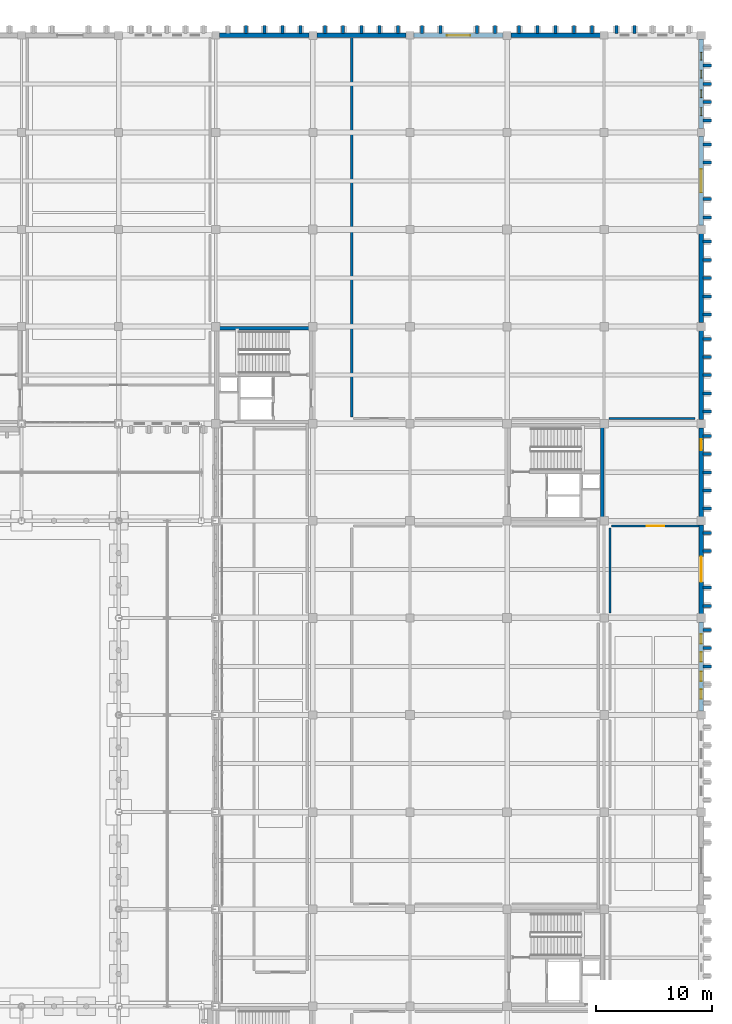
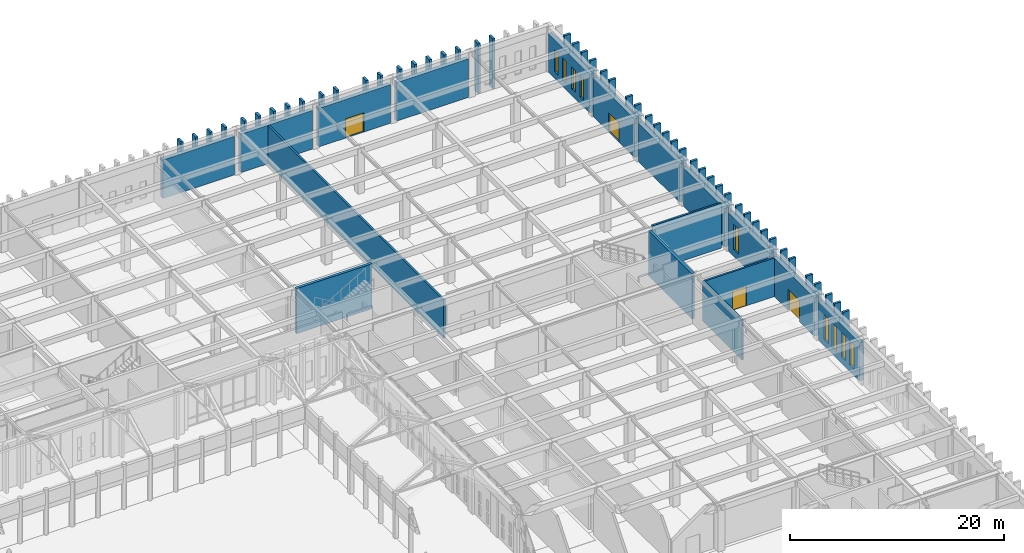
# One storey, part 127 of 143: 67 walls, 9 windows, 4 doors, 13 openings.
"""IFC4 building model written with IfcOpenShell, lengths in metres."""

from ifc_helpers import new_model, si_unit, direction, frame, frame_2d, origin, place, context, subcontext, project, spatial, rectangle, extrude, material, layer, layer_set, type_object, element, fill, save


model = new_model("IFC4")

# Units and contexts
model_context = context("Model", 3, precision=1e-05, world=origin(), true_north=direction((0.0, 1.0)))
body_context = subcontext(model_context, "Body", "Model", "MODEL_VIEW")
ifc_project = project(units=[si_unit("LENGTHUNIT", "METRE"), si_unit("AREAUNIT", "SQUARE_METRE"), si_unit("VOLUMEUNIT", "CUBIC_METRE"), si_unit("PLANEANGLEUNIT", "RADIAN"), si_unit("MASSUNIT", "GRAM", prefix="KILO")], contexts=[model_context])

# Site, building, storey
site_placement = place(None, origin())
site = spatial("IfcSite", under=ifc_project, at=site_placement, CompositionType="ELEMENT")
building_placement = place(site_placement, origin())
building = spatial("IfcBuilding", under=site, at=building_placement, Name="Kveldsbrygga Polytechnic", CompositionType="ELEMENT")
storey_placement = place(building_placement, origin())
storey = spatial("IfcBuildingStorey", under=building, at=storey_placement, Name="L00", CompositionType="ELEMENT", Elevation=0.0)

# Walls
ifc_material_1 = material(Name="Fired clay brick masonry M10", Category="masonry")
ifc_layer_1 = layer(ifc_material_1, 0.419921875)
ifc_layer_set_1 = layer_set([ifc_layer_1], Name="Fired clay brick masonry M10")
wall_type_1 = type_object("IfcWallType", Name="EW-BRICK-420", PredefinedType="SOLIDWALL", material=ifc_layer_set_1)
for number, where, z_axis, x_axis, name in (
    (1, (126.324951171875, 117.60009765625, 0.0), (0.0, 0.0, 1.0), (1.0, 0.0, 0.0), "Exterior Brick Wall EW-L00-X-15-14"),
    (2, (134.735107421875, 117.60009765625, 0.0), (0.0, 0.0, 1.0), (1.0, 0.0, 0.0), "Exterior Brick Wall EW-L00-X-16-14"),
):
    element("IfcWall", number, at=place(storey_placement, frame(where, z_axis=z_axis, x_axis=x_axis)), inside=storey, type_object=wall_type_1, Name=name, PredefinedType="SOLIDWALL", context=body_context, shape_type="SweptSolid", body=[
        extrude(rectangle(XDim=7.739990234375, YDim=0.419921875, at=frame_2d((3.8701171875, 0.0))), origin(), (0.0, 0.0, 1.0), 4.39990234375),
    ])

# Wall, opening, door
wall_1_placement = place(storey_placement, frame((143.125, 117.60009765625, 0.0), z_axis=(0.0, 0.0, 1.0), x_axis=(1.0, 0.0, 0.0)))
wall_1 = element("IfcWall", 3, at=wall_1_placement, inside=storey, type_object=wall_type_1, Name="Exterior Brick Wall EW-L00-X-17-14", PredefinedType="SOLIDWALL", context=body_context, shape_type="SweptSolid", body=[
    extrude(rectangle(XDim=7.739990234375, YDim=0.419921875, at=frame_2d((3.8701171875, 0.0))), origin(), (0.0, 0.0, 1.0), 4.39990234375),
])
opening_1_placement = place(wall_1_placement, frame((2.8701171875, 0.0, 0.0)))
opening_1 = element("IfcOpeningElement", 4, at=opening_1_placement, cuts=wall_1, Name="Opening ED-16", PredefinedType="OPENING", context=body_context, shape_type="SweptSolid", body=[
    extrude(rectangle(XDim=2.0, YDim=2.199951171875, at=frame_2d((1.0, 1.10009765625))), frame((0.0, 0.219970703125, 0.0), z_axis=(0.0, -1.0, 0.0), x_axis=(1.0, 0.0, 0.0)), (0.0, 0.0, 1.0), 0.43994140625),
])
ifc_material_2 = material(Name="Anodised aluminium AW-6060", Category="aluminium")
door_type_1 = type_object("IfcDoorType", Name="ED-EXIT-200x220", OperationType="DOUBLE_DOOR_SINGLE_SWING", PredefinedType="DOOR", material=ifc_material_2)
door_1_placement = place(opening_1_placement, origin())
door_1 = element("IfcDoor", 5, at=door_1_placement, inside=storey, type_object=door_type_1, Name="Pedestrian Exit Door ED-16", OperationType="DOUBLE_DOOR_SINGLE_SWING", OverallHeight=2.199951171875, OverallWidth=2.0, PredefinedType="DOOR", context=body_context, shape_type="SweptSolid", body=[
    extrude(rectangle(XDim=2.0, YDim=2.199951171875, at=frame_2d((1.0, 1.10009765625))), frame((0.0, 0.02490234375, 0.0), z_axis=(0.0, -1.0, 0.0), x_axis=(1.0, 0.0, 0.0)), (0.0, 0.0, 1.0), 0.050048828125),
])
fill(opening_1, door_1)

# Wall
wall_2_placement = place(storey_placement, frame((151.534912109375, 117.60009765625, 0.0), z_axis=(0.0, 0.0, 1.0), x_axis=(1.0, 0.0, 0.0)))
element("IfcWall", 6, at=wall_2_placement, inside=storey, type_object=wall_type_1, Name="Exterior Brick Wall EW-L00-X-18-14", PredefinedType="SOLIDWALL", context=body_context, shape_type="SweptSolid", body=[
    extrude(rectangle(XDim=7.739990234375, YDim=0.419921875, at=frame_2d((3.8701171875, 0.0))), origin(), (0.0, 0.0, 1.0), 4.39990234375),
])

# Wall, openings, windows
wall_3_placement = place(storey_placement, frame((168.0, 59.14501953125, 0.0), z_axis=(0.0, 0.0, 1.0), x_axis=(0.0, 1.0, 0.0)))
wall_3 = element("IfcWall", 7, at=wall_3_placement, inside=storey, type_object=wall_type_1, Name="Exterior Brick Wall EW-L00-Y-20-07", PredefinedType="SOLIDWALL", context=body_context, shape_type="SweptSolid", body=[
    extrude(rectangle(XDim=7.695068359375, YDim=0.419921875, at=frame_2d((3.84765625, 0.0))), origin(), (0.0, 0.0, 1.0), 4.389892578125),
])
opening_2_placement = place(wall_3_placement, frame((1.052001953125, 0.0, 0.75)))
opening_2 = element("IfcOpeningElement", 8, at=opening_2_placement, cuts=wall_3, Name="Opening W-11", PredefinedType="OPENING", context=body_context, shape_type="SweptSolid", body=[
    extrude(rectangle(XDim=0.820068359375, YDim=2.800048828125, at=frame_2d((0.41015625, 1.39990234375))), frame((0.0, 0.219970703125, 0.0), z_axis=(0.0, -1.0, 0.0), x_axis=(1.0, 0.0, 0.0)), (0.0, 0.0, 1.0), 0.43994140625),
])
opening_3_placement = place(wall_3_placement, frame((2.591064453125, 0.0, 0.75)))
opening_3 = element("IfcOpeningElement", 9, at=opening_3_placement, cuts=wall_3, Name="Opening W-11", PredefinedType="OPENING", context=body_context, shape_type="SweptSolid", body=[
    extrude(rectangle(XDim=0.820068359375, YDim=2.800048828125, at=frame_2d((0.41015625, 1.39990234375))), frame((0.0, 0.219970703125, 0.0), z_axis=(0.0, -1.0, 0.0), x_axis=(1.0, 0.0, 0.0)), (0.0, 0.0, 1.0), 0.43994140625),
])
opening_4_placement = place(wall_3_placement, frame((4.283935546875, 0.0, 0.75)))
opening_4 = element("IfcOpeningElement", 10, at=opening_4_placement, cuts=wall_3, Name="Opening W-11", PredefinedType="OPENING", context=body_context, shape_type="SweptSolid", body=[
    extrude(rectangle(XDim=0.820068359375, YDim=2.800048828125, at=frame_2d((0.41015625, 1.39990234375))), frame((0.0, 0.219970703125, 0.0), z_axis=(0.0, -1.0, 0.0), x_axis=(1.0, 0.0, 0.0)), (0.0, 0.0, 1.0), 0.43994140625),
])
opening_5_placement = place(wall_3_placement, frame((5.822998046875, 0.0, 0.75)))
opening_5 = element("IfcOpeningElement", 11, at=opening_5_placement, cuts=wall_3, Name="Opening W-11", PredefinedType="OPENING", context=body_context, shape_type="SweptSolid", body=[
    extrude(rectangle(XDim=0.820068359375, YDim=2.800048828125, at=frame_2d((0.41015625, 1.39990234375))), frame((0.0, 0.219970703125, 0.0), z_axis=(0.0, -1.0, 0.0), x_axis=(1.0, 0.0, 0.0)), (0.0, 0.0, 1.0), 0.43994140625),
])
ifc_material_3 = material(Name="Insulated triple low-E glass", Category="glass")
window_type_1 = type_object("IfcWindowType", Name="WN-LANC-082x280", PartitioningType="DOUBLE_PANEL_VERTICAL", PredefinedType="WINDOW", material=ifc_material_3)
window_1_placement = place(opening_2_placement, origin())
window_1 = element("IfcWindow", 12, at=window_1_placement, inside=storey, type_object=window_type_1, Name="Gothic Lancet Window WIN-L00-Y-20-07-1", OverallHeight=2.800048828125, OverallWidth=0.820068359375, PartitioningType="DOUBLE_PANEL_VERTICAL", PredefinedType="WINDOW", context=body_context, shape_type="SweptSolid", body=[
    extrude(rectangle(XDim=0.820068359375, YDim=2.800048828125, at=frame_2d((0.41015625, 1.39990234375))), frame((0.0, 0.030029296875, 0.0), z_axis=(0.0, -1.0, 0.0), x_axis=(1.0, 0.0, 0.0)), (0.0, 0.0, 1.0), 0.06005859375),
])
fill(opening_2, window_1)
window_2_placement = place(opening_3_placement, origin())
window_2 = element("IfcWindow", 13, at=window_2_placement, inside=storey, type_object=window_type_1, Name="Gothic Lancet Window WIN-L00-Y-20-07-2", OverallHeight=2.800048828125, OverallWidth=0.820068359375, PartitioningType="DOUBLE_PANEL_VERTICAL", PredefinedType="WINDOW", context=body_context, shape_type="SweptSolid", body=[
    extrude(rectangle(XDim=0.820068359375, YDim=2.800048828125, at=frame_2d((0.41015625, 1.39990234375))), frame((0.0, 0.030029296875, 0.0), z_axis=(0.0, -1.0, 0.0), x_axis=(1.0, 0.0, 0.0)), (0.0, 0.0, 1.0), 0.06005859375),
])
fill(opening_3, window_2)
window_3_placement = place(opening_4_placement, origin())
window_3 = element("IfcWindow", 14, at=window_3_placement, inside=storey, type_object=window_type_1, Name="Gothic Lancet Window WIN-L00-Y-20-07-3", OverallHeight=2.800048828125, OverallWidth=0.820068359375, PartitioningType="DOUBLE_PANEL_VERTICAL", PredefinedType="WINDOW", context=body_context, shape_type="SweptSolid", body=[
    extrude(rectangle(XDim=0.820068359375, YDim=2.800048828125, at=frame_2d((0.41015625, 1.39990234375))), frame((0.0, 0.030029296875, 0.0), z_axis=(0.0, -1.0, 0.0), x_axis=(1.0, 0.0, 0.0)), (0.0, 0.0, 1.0), 0.06005859375),
])
fill(opening_4, window_3)
window_4_placement = place(opening_5_placement, origin())
window_4 = element("IfcWindow", 15, at=window_4_placement, inside=storey, type_object=window_type_1, Name="Gothic Lancet Window WIN-L00-Y-20-07-4", OverallHeight=2.800048828125, OverallWidth=0.820068359375, PartitioningType="DOUBLE_PANEL_VERTICAL", PredefinedType="WINDOW", context=body_context, shape_type="SweptSolid", body=[
    extrude(rectangle(XDim=0.820068359375, YDim=2.800048828125, at=frame_2d((0.41015625, 1.39990234375))), frame((0.0, 0.030029296875, 0.0), z_axis=(0.0, -1.0, 0.0), x_axis=(1.0, 0.0, 0.0)), (0.0, 0.0, 1.0), 0.06005859375),
])
fill(opening_5, window_4)

# Wall, opening, door
wall_4_placement = place(storey_placement, frame((168.0, 67.56005859375, 0.0), z_axis=(0.0, 0.0, 1.0), x_axis=(0.0, 1.0, 0.0)))
wall_4 = element("IfcWall", 16, at=wall_4_placement, inside=storey, type_object=wall_type_1, Name="Exterior Brick Wall EW-L00-Y-20-08", PredefinedType="SOLIDWALL", context=body_context, shape_type="SweptSolid", body=[
    extrude(rectangle(XDim=7.69482421875, YDim=0.419921875, at=frame_2d((3.847412109375, 0.0))), origin(), (0.0, 0.0, 1.0), 4.389892578125),
])
opening_6_placement = place(wall_4_placement, frame((2.74755859375, 0.0, 0.0)))
opening_6 = element("IfcOpeningElement", 17, at=opening_6_placement, cuts=wall_4, Name="Opening ED-19", PredefinedType="OPENING", context=body_context, shape_type="SweptSolid", body=[
    extrude(rectangle(XDim=2.199951171875, YDim=2.39990234375, at=frame_2d((1.10009765625, 1.199951171875))), frame((0.0, 0.219970703125, 0.0), z_axis=(0.0, -1.0, 0.0), x_axis=(1.0, 0.0, 0.0)), (0.0, 0.0, 1.0), 0.43994140625),
])
door_type_2 = type_object("IfcDoorType", Name="ED-MAIN-220x240", OperationType="DOUBLE_DOOR_SINGLE_SWING", PredefinedType="DOOR", material=ifc_material_2)
door_2_placement = place(opening_6_placement, origin())
door_2 = element("IfcDoor", 18, at=door_2_placement, inside=storey, type_object=door_type_2, Name="Pedestrian Exit Door ED-19", OperationType="DOUBLE_DOOR_SINGLE_SWING", OverallHeight=2.39990234375, OverallWidth=2.199951171875, PredefinedType="DOOR", context=body_context, shape_type="SweptSolid", body=[
    extrude(rectangle(XDim=2.199951171875, YDim=2.39990234375, at=frame_2d((1.10009765625, 1.199951171875))), frame((0.0, 0.02490234375, 0.0), z_axis=(0.0, -1.0, 0.0), x_axis=(1.0, 0.0, 0.0)), (0.0, 0.0, 1.0), 0.050048828125),
])
fill(opening_6, door_2)

# Wall, opening, window
wall_5_placement = place(storey_placement, frame((168.0, 75.945068359375, 0.0), z_axis=(0.0, 0.0, 1.0), x_axis=(0.0, 1.0, 0.0)))
wall_5 = element("IfcWall", 19, at=wall_5_placement, inside=storey, type_object=wall_type_1, Name="Exterior Brick Wall EW-L00-Y-20-09", PredefinedType="SOLIDWALL", context=body_context, shape_type="SweptSolid", body=[
    extrude(rectangle(XDim=7.69482421875, YDim=0.419921875, at=frame_2d((3.847412109375, 0.0))), origin(), (0.0, 0.0, 1.0), 4.389892578125),
])
opening_7_placement = place(wall_5_placement, frame((5.77294921875, 0.0, 0.75)))
opening_7 = element("IfcOpeningElement", 20, at=opening_7_placement, cuts=wall_5, Name="Opening W-21", PredefinedType="OPENING", context=body_context, shape_type="SweptSolid", body=[
    extrude(rectangle(XDim=0.919921875, YDim=2.85009765625, at=frame_2d((0.4599609375, 1.425048828125))), frame((0.0, 0.219970703125, 0.0), z_axis=(0.0, -1.0, 0.0), x_axis=(1.0, 0.0, 0.0)), (0.0, 0.0, 1.0), 0.43994140625),
])
window_type_2 = type_object("IfcWindowType", Name="WN-LANC-092x285", PartitioningType="DOUBLE_PANEL_VERTICAL", PredefinedType="WINDOW", material=ifc_material_3)
window_5_placement = place(opening_7_placement, origin())
window_5 = element("IfcWindow", 21, at=window_5_placement, inside=storey, type_object=window_type_2, Name="Gothic Lancet Window WIN-L00-Y-20-09-4", OverallHeight=2.85009765625, OverallWidth=0.919921875, PartitioningType="DOUBLE_PANEL_VERTICAL", PredefinedType="WINDOW", context=body_context, shape_type="SweptSolid", body=[
    extrude(rectangle(XDim=0.919921875, YDim=2.85009765625, at=frame_2d((0.4599609375, 1.425048828125))), frame((0.0, 0.030029296875, 0.0), z_axis=(0.0, -1.0, 0.0), x_axis=(1.0, 0.0, 0.0)), (0.0, 0.0, 1.0), 0.06005859375),
])
fill(opening_7, window_5)

# Walls
for number, where, z_axis, x_axis, name in (
    (22, (168.0, 84.360107421875, 0.0), (0.0, 0.0, 1.0), (0.0, 1.0, 0.0), "Exterior Brick Wall EW-L00-Y-20-10"),
    (23, (168.0, 92.7451171875, 0.0), (0.0, 0.0, 1.0), (0.0, 1.0, 0.0), "Exterior Brick Wall EW-L00-Y-20-11"),
):
    element("IfcWall", number, at=place(storey_placement, frame(where, z_axis=z_axis, x_axis=x_axis)), inside=storey, type_object=wall_type_1, Name=name, PredefinedType="SOLIDWALL", context=body_context, shape_type="SweptSolid", body=[
        extrude(rectangle(XDim=7.69482421875, YDim=0.419921875, at=frame_2d((3.847412109375, 0.0))), origin(), (0.0, 0.0, 1.0), 4.389892578125),
    ])

# Wall, opening, door
wall_6_placement = place(storey_placement, frame((168.0, 101.159912109375, 0.0), z_axis=(0.0, 0.0, 1.0), x_axis=(0.0, 1.0, 0.0)))
wall_6 = element("IfcWall", 24, at=wall_6_placement, inside=storey, type_object=wall_type_1, Name="Exterior Brick Wall EW-L00-Y-20-12", PredefinedType="SOLIDWALL", context=body_context, shape_type="SweptSolid", body=[
    extrude(rectangle(XDim=7.715087890625, YDim=0.419921875, at=frame_2d((3.857421875, 0.0))), origin(), (0.0, 0.0, 1.0), 4.389892578125),
])
opening_8_placement = place(wall_6_placement, frame((2.857421875, 0.0, 0.0)))
opening_8 = element("IfcOpeningElement", 25, at=opening_8_placement, cuts=wall_6, Name="Opening ED-20", PredefinedType="OPENING", context=body_context, shape_type="SweptSolid", body=[
    extrude(rectangle(XDim=2.0, YDim=2.199951171875, at=frame_2d((1.0, 1.10009765625))), frame((0.0, 0.219970703125, 0.0), z_axis=(0.0, -1.0, 0.0), x_axis=(1.0, 0.0, 0.0)), (0.0, 0.0, 1.0), 0.43994140625),
])
door_3_placement = place(opening_8_placement, origin())
door_3 = element("IfcDoor", 26, at=door_3_placement, inside=storey, type_object=door_type_1, Name="Pedestrian Exit Door ED-20", OperationType="DOUBLE_DOOR_SINGLE_SWING", OverallHeight=2.199951171875, OverallWidth=2.0, PredefinedType="DOOR", context=body_context, shape_type="SweptSolid", body=[
    extrude(rectangle(XDim=2.0, YDim=2.199951171875, at=frame_2d((1.0, 1.10009765625))), frame((0.0, 0.02490234375, 0.0), z_axis=(0.0, -1.0, 0.0), x_axis=(1.0, 0.0, 0.0)), (0.0, 0.0, 1.0), 0.050048828125),
])
fill(opening_8, door_3)

# Wall, openings, windows
wall_7_placement = place(storey_placement, frame((168.0, 109.52490234375, 0.0), z_axis=(0.0, 0.0, 1.0), x_axis=(0.0, 1.0, 0.0)))
wall_7 = element("IfcWall", 27, at=wall_7_placement, inside=storey, type_object=wall_type_1, Name="Exterior Brick Wall EW-L00-Y-20-13", PredefinedType="SOLIDWALL", context=body_context, shape_type="SweptSolid", body=[
    extrude(rectangle(XDim=7.739990234375, YDim=0.419921875, at=frame_2d((3.8701171875, 0.0))), origin(), (0.0, 0.0, 1.0), 4.389892578125),
])
opening_9_placement = place(wall_7_placement, frame((1.130615234375, 0.0, 0.75)))
opening_9 = element("IfcOpeningElement", 28, at=opening_9_placement, cuts=wall_7, Name="Opening W-41", PredefinedType="OPENING", context=body_context, shape_type="SweptSolid", body=[
    extrude(rectangle(XDim=0.679931640625, YDim=2.5, at=frame_2d((0.33984375, 1.25))), frame((0.0, 0.219970703125, 0.0), z_axis=(0.0, -1.0, 0.0), x_axis=(1.0, 0.0, 0.0)), (0.0, 0.0, 1.0), 0.43994140625),
])
opening_10_placement = place(wall_7_placement, frame((2.6787109375, 0.0, 0.75)))
opening_10 = element("IfcOpeningElement", 29, at=opening_10_placement, cuts=wall_7, Name="Opening W-41", PredefinedType="OPENING", context=body_context, shape_type="SweptSolid", body=[
    extrude(rectangle(XDim=0.679931640625, YDim=2.5, at=frame_2d((0.33984375, 1.25))), frame((0.0, 0.219970703125, 0.0), z_axis=(0.0, -1.0, 0.0), x_axis=(1.0, 0.0, 0.0)), (0.0, 0.0, 1.0), 0.43994140625),
])
opening_11_placement = place(wall_7_placement, frame((4.38134765625, 0.0, 0.75)))
opening_11 = element("IfcOpeningElement", 30, at=opening_11_placement, cuts=wall_7, Name="Opening W-41", PredefinedType="OPENING", context=body_context, shape_type="SweptSolid", body=[
    extrude(rectangle(XDim=0.679931640625, YDim=2.5, at=frame_2d((0.33984375, 1.25))), frame((0.0, 0.219970703125, 0.0), z_axis=(0.0, -1.0, 0.0), x_axis=(1.0, 0.0, 0.0)), (0.0, 0.0, 1.0), 0.43994140625),
])
opening_12_placement = place(wall_7_placement, frame((5.929443359375, 0.0, 0.75)))
opening_12 = element("IfcOpeningElement", 31, at=opening_12_placement, cuts=wall_7, Name="Opening W-41", PredefinedType="OPENING", context=body_context, shape_type="SweptSolid", body=[
    extrude(rectangle(XDim=0.679931640625, YDim=2.5, at=frame_2d((0.33984375, 1.25))), frame((0.0, 0.219970703125, 0.0), z_axis=(0.0, -1.0, 0.0), x_axis=(1.0, 0.0, 0.0)), (0.0, 0.0, 1.0), 0.43994140625),
])
window_type_3 = type_object("IfcWindowType", Name="WN-LANC-068x250", PartitioningType="DOUBLE_PANEL_VERTICAL", PredefinedType="WINDOW", material=ifc_material_3)
window_6_placement = place(opening_9_placement, origin())
window_6 = element("IfcWindow", 32, at=window_6_placement, inside=storey, type_object=window_type_3, Name="Gothic Lancet Window WIN-L00-Y-20-13-1", OverallHeight=2.5, OverallWidth=0.679931640625, PartitioningType="DOUBLE_PANEL_VERTICAL", PredefinedType="WINDOW", context=body_context, shape_type="SweptSolid", body=[
    extrude(rectangle(XDim=0.679931640625, YDim=2.5, at=frame_2d((0.33984375, 1.25))), frame((0.0, 0.030029296875, 0.0), z_axis=(0.0, -1.0, 0.0), x_axis=(1.0, 0.0, 0.0)), (0.0, 0.0, 1.0), 0.06005859375),
])
fill(opening_9, window_6)
window_7_placement = place(opening_10_placement, origin())
window_7 = element("IfcWindow", 33, at=window_7_placement, inside=storey, type_object=window_type_3, Name="Gothic Lancet Window WIN-L00-Y-20-13-2", OverallHeight=2.5, OverallWidth=0.679931640625, PartitioningType="DOUBLE_PANEL_VERTICAL", PredefinedType="WINDOW", context=body_context, shape_type="SweptSolid", body=[
    extrude(rectangle(XDim=0.679931640625, YDim=2.5, at=frame_2d((0.33984375, 1.25))), frame((0.0, 0.030029296875, 0.0), z_axis=(0.0, -1.0, 0.0), x_axis=(1.0, 0.0, 0.0)), (0.0, 0.0, 1.0), 0.06005859375),
])
fill(opening_10, window_7)
window_8_placement = place(opening_11_placement, origin())
window_8 = element("IfcWindow", 34, at=window_8_placement, inside=storey, type_object=window_type_3, Name="Gothic Lancet Window WIN-L00-Y-20-13-3", OverallHeight=2.5, OverallWidth=0.679931640625, PartitioningType="DOUBLE_PANEL_VERTICAL", PredefinedType="WINDOW", context=body_context, shape_type="SweptSolid", body=[
    extrude(rectangle(XDim=0.679931640625, YDim=2.5, at=frame_2d((0.33984375, 1.25))), frame((0.0, 0.030029296875, 0.0), z_axis=(0.0, -1.0, 0.0), x_axis=(1.0, 0.0, 0.0)), (0.0, 0.0, 1.0), 0.06005859375),
])
fill(opening_11, window_8)
window_9_placement = place(opening_12_placement, origin())
window_9 = element("IfcWindow", 35, at=window_9_placement, inside=storey, type_object=window_type_3, Name="Gothic Lancet Window WIN-L00-Y-20-13-4", OverallHeight=2.5, OverallWidth=0.679931640625, PartitioningType="DOUBLE_PANEL_VERTICAL", PredefinedType="WINDOW", context=body_context, shape_type="SweptSolid", body=[
    extrude(rectangle(XDim=0.679931640625, YDim=2.5, at=frame_2d((0.33984375, 1.25))), frame((0.0, 0.030029296875, 0.0), z_axis=(0.0, -1.0, 0.0), x_axis=(1.0, 0.0, 0.0)), (0.0, 0.0, 1.0), 0.06005859375),
])
fill(opening_12, window_9)

# Walls
ifc_layer_2 = layer(ifc_material_1, 0.260009765625)
ifc_layer_set_2 = layer_set([ifc_layer_2], Name="Fired clay brick masonry M10")
wall_type_2 = type_object("IfcWallType", Name="EW-BUTT-260", PredefinedType="SOLIDWALL", material=ifc_layer_set_2)
for number, where, z_axis, x_axis, name in (
    (36, (128.6201171875, 117.764892578125, -0.25), (0.0, 0.0, 1.0), (0.0, 1.0, 0.0), "Gothic Brick Buttress Pier BUTT-L00-X-15-14-2"),
    (37, (130.199951171875, 117.764892578125, -0.25), (0.0, 0.0, 1.0), (0.0, 1.0, 0.0), "Gothic Brick Buttress Pier BUTT-L00-X-15-14-3"),
    (38, (131.780029296875, 117.764892578125, -0.25), (0.0, 0.0, 1.0), (0.0, 1.0, 0.0), "Gothic Brick Buttress Pier BUTT-L00-X-15-14-4"),
    (39, (133.35009765625, 117.764892578125, -0.25), (0.0, 0.0, 1.0), (0.0, 1.0, 0.0), "Gothic Brick Buttress Pier BUTT-L00-X-15-14-5"),
    (40, (135.449951171875, 117.764892578125, -0.25), (0.0, 0.0, 1.0), (0.0, 1.0, 0.0), "Gothic Brick Buttress Pier BUTT-L00-X-16-14-1"),
    (41, (137.02001953125, 117.764892578125, -0.25), (0.0, 0.0, 1.0), (0.0, 1.0, 0.0), "Gothic Brick Buttress Pier BUTT-L00-X-16-14-2"),
    (42, (138.60009765625, 117.764892578125, -0.25), (0.0, 0.0, 1.0), (0.0, 1.0, 0.0), "Gothic Brick Buttress Pier BUTT-L00-X-16-14-3"),
    (43, (140.179931640625, 117.764892578125, -0.25), (0.0, 0.0, 1.0), (0.0, 1.0, 0.0), "Gothic Brick Buttress Pier BUTT-L00-X-16-14-4"),
    (44, (141.75, 117.764892578125, -0.25), (0.0, 0.0, 1.0), (0.0, 1.0, 0.0), "Gothic Brick Buttress Pier BUTT-L00-X-16-14-5"),
    (45, (143.85009765625, 117.764892578125, -0.25), (0.0, 0.0, 1.0), (0.0, 1.0, 0.0), "Gothic Brick Buttress Pier BUTT-L00-X-17-14-1"),
    (46, (145.419921875, 117.764892578125, -0.25), (0.0, 0.0, 1.0), (0.0, 1.0, 0.0), "Gothic Brick Buttress Pier BUTT-L00-X-17-14-2"),
    (47, (148.580078125, 117.764892578125, -0.25), (0.0, 0.0, 1.0), (0.0, 1.0, 0.0), "Gothic Brick Buttress Pier BUTT-L00-X-17-14-4"),
    (48, (150.14990234375, 117.764892578125, -0.25), (0.0, 0.0, 1.0), (0.0, 1.0, 0.0), "Gothic Brick Buttress Pier BUTT-L00-X-17-14-5"),
    (49, (152.25, 117.764892578125, -0.25), (0.0, 0.0, 1.0), (0.0, 1.0, 0.0), "Gothic Brick Buttress Pier BUTT-L00-X-18-14-1"),
    (50, (153.820068359375, 117.764892578125, -0.25), (0.0, 0.0, 1.0), (0.0, 1.0, 0.0), "Gothic Brick Buttress Pier BUTT-L00-X-18-14-2"),
    (51, (155.39990234375, 117.764892578125, -0.25), (0.0, 0.0, 1.0), (0.0, 1.0, 0.0), "Gothic Brick Buttress Pier BUTT-L00-X-18-14-3"),
    (52, (156.97998046875, 117.764892578125, -0.25), (0.0, 0.0, 1.0), (0.0, 1.0, 0.0), "Gothic Brick Buttress Pier BUTT-L00-X-18-14-4"),
    (53, (158.550048828125, 117.764892578125, -0.25), (0.0, 0.0, 1.0), (0.0, 1.0, 0.0), "Gothic Brick Buttress Pier BUTT-L00-X-18-14-5"),
):
    element("IfcWall", number, at=place(storey_placement, frame(where, z_axis=z_axis, x_axis=x_axis)), inside=storey, type_object=wall_type_2, Name=name, PredefinedType="SOLIDWALL", context=body_context, shape_type="SweptSolid", body=[
        extrude(rectangle(XDim=0.7001953125, YDim=0.260009765625, at=frame_2d((0.35009765625, 0.0))), origin(), (0.0, 0.0, 1.0), 5.68994140625),
    ])
for number, where, z_axis, x_axis, name in (
    (54, (168.1650390625, 63.0, -0.25), (0.0, 0.0, 1.0), (1.0, 0.0, 0.0), "Gothic Brick Buttress Pier BUTT-L00-Y-20-07-3"),
    (55, (168.1650390625, 64.580078125, -0.25), (0.0, 0.0, 1.0), (1.0, 0.0, 0.0), "Gothic Brick Buttress Pier BUTT-L00-Y-20-07-4"),
    (56, (168.1650390625, 66.14990234375, -0.25), (0.0, 0.0, 1.0), (1.0, 0.0, 0.0), "Gothic Brick Buttress Pier BUTT-L00-Y-20-07-5"),
    (57, (168.1650390625, 68.25, -0.25), (0.0, 0.0, 1.0), (1.0, 0.0, 0.0), "Gothic Brick Buttress Pier BUTT-L00-Y-20-08-1"),
    (58, (168.1650390625, 69.820068359375, -0.25), (0.0, 0.0, 1.0), (1.0, 0.0, 0.0), "Gothic Brick Buttress Pier BUTT-L00-Y-20-08-2"),
    (59, (168.1650390625, 72.97998046875, -0.25), (0.0, 0.0, 1.0), (1.0, 0.0, 0.0), "Gothic Brick Buttress Pier BUTT-L00-Y-20-08-4"),
    (60, (168.1650390625, 74.550048828125, -0.25), (0.0, 0.0, 1.0), (1.0, 0.0, 0.0), "Gothic Brick Buttress Pier BUTT-L00-Y-20-08-5"),
    (61, (168.1650390625, 76.64990234375, -0.25), (0.0, 0.0, 1.0), (1.0, 0.0, 0.0), "Gothic Brick Buttress Pier BUTT-L00-Y-20-09-1"),
    (62, (168.1650390625, 78.219970703125, -0.25), (0.0, 0.0, 1.0), (1.0, 0.0, 0.0), "Gothic Brick Buttress Pier BUTT-L00-Y-20-09-2"),
    (63, (168.1650390625, 79.800048828125, -0.25), (0.0, 0.0, 1.0), (1.0, 0.0, 0.0), "Gothic Brick Buttress Pier BUTT-L00-Y-20-09-3"),
    (64, (168.1650390625, 81.3798828125, -0.25), (0.0, 0.0, 1.0), (1.0, 0.0, 0.0), "Gothic Brick Buttress Pier BUTT-L00-Y-20-09-4"),
    (65, (168.1650390625, 82.949951171875, -0.25), (0.0, 0.0, 1.0), (1.0, 0.0, 0.0), "Gothic Brick Buttress Pier BUTT-L00-Y-20-09-5"),
    (66, (168.1650390625, 85.050048828125, -0.25), (0.0, 0.0, 1.0), (1.0, 0.0, 0.0), "Gothic Brick Buttress Pier BUTT-L00-Y-20-10-1"),
    (67, (168.1650390625, 86.6201171875, -0.25), (0.0, 0.0, 1.0), (1.0, 0.0, 0.0), "Gothic Brick Buttress Pier BUTT-L00-Y-20-10-2"),
    (68, (168.1650390625, 88.199951171875, -0.25), (0.0, 0.0, 1.0), (1.0, 0.0, 0.0), "Gothic Brick Buttress Pier BUTT-L00-Y-20-10-3"),
    (69, (168.1650390625, 89.780029296875, -0.25), (0.0, 0.0, 1.0), (1.0, 0.0, 0.0), "Gothic Brick Buttress Pier BUTT-L00-Y-20-10-4"),
    (70, (168.1650390625, 91.35009765625, -0.25), (0.0, 0.0, 1.0), (1.0, 0.0, 0.0), "Gothic Brick Buttress Pier BUTT-L00-Y-20-10-5"),
    (71, (168.1650390625, 93.449951171875, -0.25), (0.0, 0.0, 1.0), (1.0, 0.0, 0.0), "Gothic Brick Buttress Pier BUTT-L00-Y-20-11-1"),
    (72, (168.1650390625, 95.02001953125, -0.25), (0.0, 0.0, 1.0), (1.0, 0.0, 0.0), "Gothic Brick Buttress Pier BUTT-L00-Y-20-11-2"),
    (73, (168.1650390625, 96.60009765625, -0.25), (0.0, 0.0, 1.0), (1.0, 0.0, 0.0), "Gothic Brick Buttress Pier BUTT-L00-Y-20-11-3"),
    (74, (168.1650390625, 98.179931640625, -0.25), (0.0, 0.0, 1.0), (1.0, 0.0, 0.0), "Gothic Brick Buttress Pier BUTT-L00-Y-20-11-4"),
    (75, (168.1650390625, 99.75, -0.25), (0.0, 0.0, 1.0), (1.0, 0.0, 0.0), "Gothic Brick Buttress Pier BUTT-L00-Y-20-11-5"),
    (76, (168.1650390625, 101.85009765625, -0.25), (0.0, 0.0, 1.0), (1.0, 0.0, 0.0), "Gothic Brick Buttress Pier BUTT-L00-Y-20-12-1"),
    (77, (168.1650390625, 103.419921875, -0.25), (0.0, 0.0, 1.0), (1.0, 0.0, 0.0), "Gothic Brick Buttress Pier BUTT-L00-Y-20-12-2"),
    (78, (168.1650390625, 106.580078125, -0.25), (0.0, 0.0, 1.0), (1.0, 0.0, 0.0), "Gothic Brick Buttress Pier BUTT-L00-Y-20-12-4"),
    (79, (168.1650390625, 108.14990234375, -0.25), (0.0, 0.0, 1.0), (1.0, 0.0, 0.0), "Gothic Brick Buttress Pier BUTT-L00-Y-20-12-5"),
):
    element("IfcWall", number, at=place(storey_placement, frame(where, z_axis=z_axis, x_axis=x_axis)), inside=storey, type_object=wall_type_2, Name=name, PredefinedType="SOLIDWALL", context=body_context, shape_type="SweptSolid", body=[
        extrude(rectangle(XDim=0.699951171875, YDim=0.260009765625, at=frame_2d((0.35009765625, 0.0))), origin(), (0.0, 0.0, 1.0), 5.68994140625),
    ])
for number, where, z_axis, x_axis, name in (
    (80, (160.64990234375, 117.764892578125, -0.25), (0.0, 0.0, 1.0), (0.0, 1.0, 0.0), "Gothic Brick Buttress Pier BUTT-L00-X-19-14-1"),
    (81, (162.219970703125, 117.764892578125, -0.25), (0.0, 0.0, 1.0), (0.0, 1.0, 0.0), "Gothic Brick Buttress Pier BUTT-L00-X-19-14-2"),
):
    element("IfcWall", number, at=place(storey_placement, frame(where, z_axis=z_axis, x_axis=x_axis)), inside=storey, type_object=wall_type_2, Name=name, PredefinedType="SOLIDWALL", context=body_context, shape_type="SweptSolid", body=[
        extrude(rectangle(XDim=0.7001953125, YDim=0.260009765625, at=frame_2d((0.35009765625, 0.0))), origin(), (0.0, 0.0, 1.0), 5.68994140625),
    ])
for number, where, z_axis, x_axis, name in (
    (82, (168.1650390625, 110.25, -0.25), (0.0, 0.0, 1.0), (1.0, 0.0, 0.0), "Gothic Brick Buttress Pier BUTT-L00-Y-20-13-1"),
    (83, (168.1650390625, 111.820068359375, -0.25), (0.0, 0.0, 1.0), (1.0, 0.0, 0.0), "Gothic Brick Buttress Pier BUTT-L00-Y-20-13-2"),
    (84, (168.1650390625, 113.39990234375, -0.25), (0.0, 0.0, 1.0), (1.0, 0.0, 0.0), "Gothic Brick Buttress Pier BUTT-L00-Y-20-13-3"),
    (85, (168.1650390625, 114.97998046875, -0.25), (0.0, 0.0, 1.0), (1.0, 0.0, 0.0), "Gothic Brick Buttress Pier BUTT-L00-Y-20-13-4"),
):
    element("IfcWall", number, at=place(storey_placement, frame(where, z_axis=z_axis, x_axis=x_axis)), inside=storey, type_object=wall_type_2, Name=name, PredefinedType="SOLIDWALL", context=body_context, shape_type="SweptSolid", body=[
        extrude(rectangle(XDim=0.699951171875, YDim=0.260009765625, at=frame_2d((0.35009765625, 0.0))), origin(), (0.0, 0.0, 1.0), 5.68994140625),
    ])

# Wall, opening, door
ifc_layer_3 = layer(ifc_material_1, 0.199951171875)
ifc_layer_set_3 = layer_set([ifc_layer_3], Name="Fired clay brick masonry M10")
wall_type_3 = type_object("IfcWallType", Name="IW-LAB-200", PredefinedType="PARTITIONING", material=ifc_layer_set_3)
wall_8_placement = place(storey_placement, frame((160.25, 75.14990234375, 0.0), z_axis=(0.0, 0.0, 1.0), x_axis=(1.0, 0.0, 0.0)))
wall_8 = element("IfcWall", 86, at=wall_8_placement, inside=storey, type_object=wall_type_3, Name="Partition Wall IW-SP-L00-LAB2-N1", PredefinedType="PARTITIONING", context=body_context, shape_type="SweptSolid", body=[
    extrude(rectangle(XDim=7.570068359375, YDim=0.199951171875, at=frame_2d((3.78515625, 0.0))), origin(), (0.0, 0.0, 1.0), 4.389892578125),
])
opening_13_placement = place(wall_8_placement, frame((3.034912109375, 0.0, 0.0)))
opening_13 = element("IfcOpeningElement", 87, at=opening_13_placement, cuts=wall_8, Name="Opening ID-L00-036", PredefinedType="OPENING", context=body_context, shape_type="SweptSolid", body=[
    extrude(rectangle(XDim=1.5, YDim=2.199951171875, at=frame_2d((0.75, 1.10009765625))), frame((0.0, 0.10986328125, 0.0), z_axis=(0.0, -1.0, 0.0), x_axis=(1.0, 0.0, 0.0)), (0.0, 0.0, 1.0), 0.219970703125),
])
ifc_material_4 = material(Name="Acoustic oak timber", Category="wood")
door_type_3 = type_object("IfcDoorType", Name="ID-LAB-150x220", OperationType="DOUBLE_DOOR_SINGLE_SWING", PredefinedType="DOOR", material=ifc_material_4)
door_4_placement = place(opening_13_placement, origin())
door_4 = element("IfcDoor", 88, at=door_4_placement, inside=storey, type_object=door_type_3, Name="Interior Door ID-L00-036", OperationType="DOUBLE_DOOR_SINGLE_SWING", OverallHeight=2.199951171875, OverallWidth=1.5, PredefinedType="DOOR", context=body_context, shape_type="SweptSolid", body=[
    extrude(rectangle(XDim=1.5, YDim=2.199951171875, at=frame_2d((0.75, 1.10009765625))), frame((0.0, 0.02490234375, 0.0), z_axis=(0.0, -1.0, 0.0), x_axis=(1.0, 0.0, 0.0)), (0.0, 0.0, 1.0), 0.050048828125),
])
fill(opening_13, door_4)

# Walls
wall_9_placement = place(storey_placement, frame((160.10009765625, 67.6201171875, 0.0), z_axis=(0.0, 0.0, 1.0), x_axis=(0.0, 1.0, 0.0)))
element("IfcWall", 89, at=wall_9_placement, inside=storey, type_object=wall_type_3, Name="Partition Wall IW-SP-L00-LAB2-W5", PredefinedType="PARTITIONING", context=body_context, shape_type="SweptSolid", body=[
    extrude(rectangle(XDim=7.3798828125, YDim=0.199951171875, at=frame_2d((3.68994140625, 0.0))), origin(), (0.0, 0.0, 1.0), 4.580078125),
])
wall_10_placement = place(storey_placement, frame((160.02001953125, 84.449951171875, 0.0), z_axis=(0.0, 0.0, 1.0), x_axis=(1.0, 0.0, 0.0)))
element("IfcWall", 90, at=wall_10_placement, inside=storey, type_object=wall_type_3, Name="Partition Wall IW-SP-L00-LAB4-S4", PredefinedType="PARTITIONING", context=body_context, shape_type="SweptSolid", body=[
    extrude(rectangle(XDim=7.429931640625, YDim=0.199951171875, at=frame_2d((3.71484375, 0.0))), origin(), (0.0, 0.0, 1.0), 5.139892578125),
])
wall_11_placement = place(storey_placement, frame((137.75, 84.60009765625, 0.0), z_axis=(0.0, 0.0, 1.0), x_axis=(0.0, 1.0, 0.0)))
element("IfcWall", 91, at=wall_11_placement, inside=storey, type_object=wall_type_3, Name="Partition Wall IW-SP-L00-LAB4-W1", PredefinedType="PARTITIONING", context=body_context, shape_type="SweptSolid", body=[
    extrude(rectangle(XDim=32.81982421875, YDim=0.199951171875, at=frame_2d((16.409912109375, 0.0))), origin(), (0.0, 0.0, 1.0), 4.360107421875),
])
ifc_material_5 = material(Name="Concrete C45/55", Category="concrete")
ifc_layer_4 = layer(ifc_material_5, 0.300048828125)
ifc_layer_set_4 = layer_set([ifc_layer_4], Name="Concrete C45/55")
wall_type_4 = type_object("IfcWallType", Name="WL-CORE-300", PredefinedType="SHEAR", material=ifc_layer_set_4)
for number, where, z_axis, x_axis, name in (
    (92, (126.14990234375, 92.25, 0.0), (0.0, 0.0, 1.0), (1.0, 0.0, 0.0), "Core C2 Shear Wall C2-L00-SW-N"),
    (93, (159.449951171875, 75.75, 0.0), (0.0, 0.0, 1.0), (0.0, 1.0, 0.0), "Core C4 Shear Wall C4-L00-SW-E"),
):
    element("IfcWall", number, at=place(storey_placement, frame(where, z_axis=z_axis, x_axis=x_axis)), inside=storey, type_object=wall_type_4, Name=name, PredefinedType="SHEAR", context=body_context, shape_type="SweptSolid", body=[
        extrude(rectangle(XDim=8.10009765625, YDim=0.300048828125, at=frame_2d((4.050048828125, 0.0))), origin(), (0.0, 0.0, 1.0), 5.139892578125),
    ])

save(model, "model.ifc")
